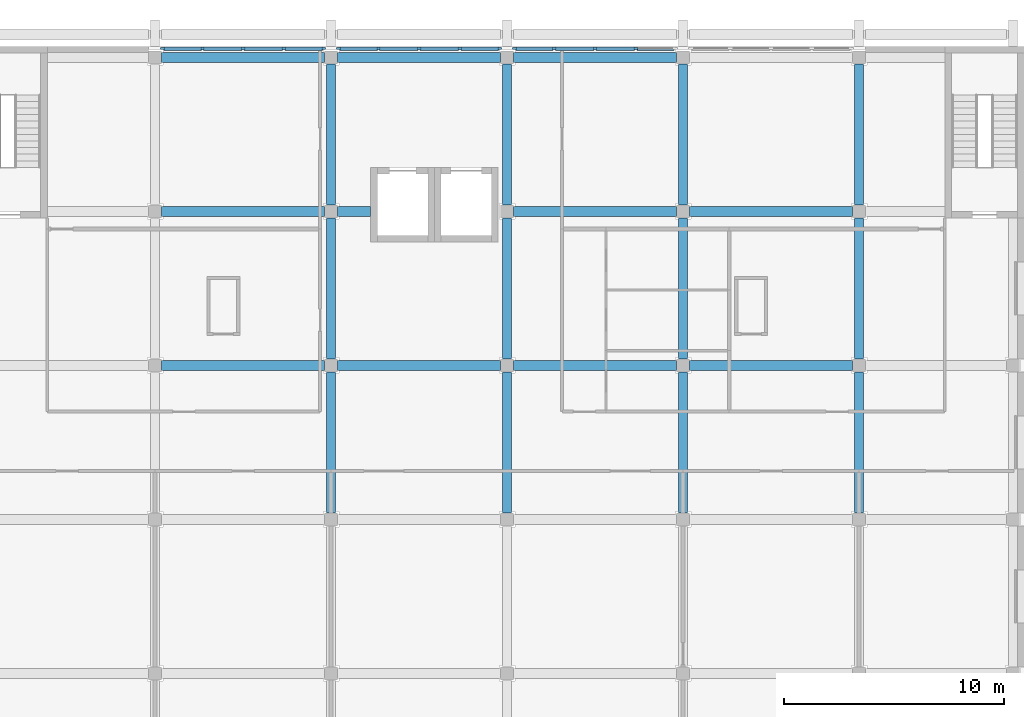
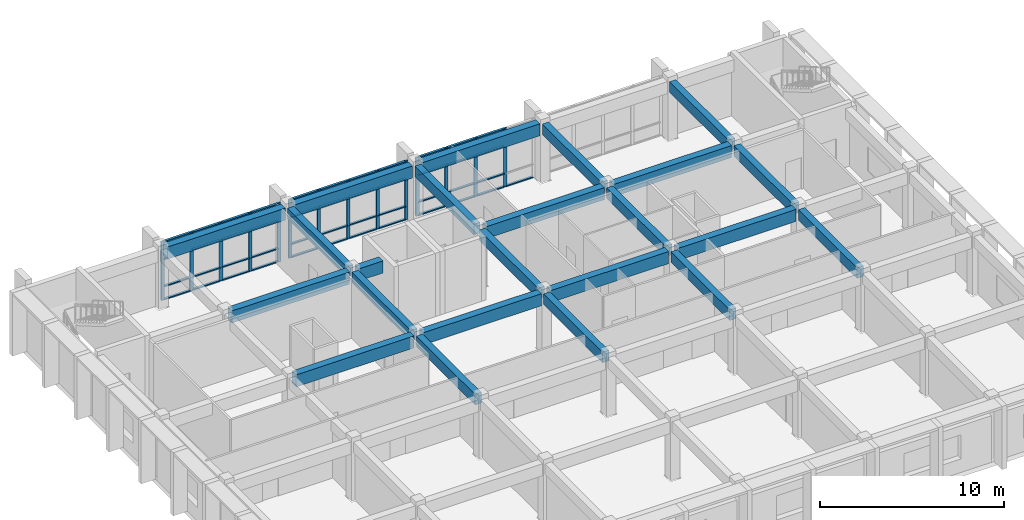
# One storey, part 20 of 43: 59 members, 23 beams, 3 elements without a shape of their own.
"""IFC4 building model written with IfcOpenShell, lengths in metres."""

from ifc_helpers import new_model, si_unit, direction, frame, origin, origin_2d, place, context, subcontext, project, spatial, rectangle, extrude, material, material_profile, profile_set, type_object, element, aggregate, save


model = new_model("IFC4")

# Units and contexts
model_context = context("Model", 3, precision=1e-05, world=origin(), true_north=direction((0.0, 1.0)))
body_context = subcontext(model_context, "Body", "Model", "MODEL_VIEW")
ifc_project = project(units=[si_unit("LENGTHUNIT", "METRE"), si_unit("AREAUNIT", "SQUARE_METRE"), si_unit("VOLUMEUNIT", "CUBIC_METRE"), si_unit("PLANEANGLEUNIT", "RADIAN"), si_unit("MASSUNIT", "GRAM", prefix="KILO")], contexts=[model_context])

# Site, building, storey
site_placement = place(None, origin())
site = spatial("IfcSite", under=ifc_project, at=site_placement, CompositionType="ELEMENT")
building_placement = place(site_placement, origin())
building = spatial("IfcBuilding", under=site, at=building_placement, Name="Elmora Arch Market Hall", CompositionType="ELEMENT")
storey_placement = place(building_placement, frame((0.0, 0.0, 10.199951171875)))
storey = spatial("IfcBuildingStorey", under=building, at=storey_placement, Name="L02", CompositionType="ELEMENT", Elevation=10.199951171875)

# Curtain wall, members
ifc_material_1 = material(Name="Aluminium", Category="aluminium")
curtain_wall_type = type_object("IfcCurtainWallType", Name="School front curtain wall", PredefinedType="NOTDEFINED", material=ifc_material_1)
curtain_wall_1_placement = place(storey_placement, origin())
curtain_wall_1 = element("IfcCurtainWall", 1, at=curtain_wall_1_placement, inside=storey, type_object=curtain_wall_type, Name="School street front L02 1", PredefinedType="NOTDEFINED")
ifc_material_2 = material(Name="Aluminium", Category="aluminium")
ifc_material_profile_1 = material_profile(ifc_material_2, rectangle(XDim=0.10009765625, YDim=0.199951171875, at=origin_2d()), Name="AL 100x200")
ifc_profile_set_1 = profile_set([ifc_material_profile_1], Name="Aluminium")
member_type_1 = type_object("IfcMemberType", Name="Mullion 100x200", PredefinedType="MULLION", material=ifc_profile_set_1)
member_1_placement = place(storey_placement, frame((94.85009765625, 165.89990234375, 0.0), z_axis=(0.0, 0.0, 1.0), x_axis=(0.0, 1.0, 0.0)))
member_1 = element("IfcMember", 2, at=member_1_placement, type_object=member_type_1, Name="CW5 mullion 1", PredefinedType="MULLION", context=body_context, shape_type="SweptSolid", body=[
    extrude(rectangle(XDim=0.10009765625, YDim=0.199951171875, at=origin_2d()), origin(), (0.0, 0.0, 1.0), 3.900146484375),
])
member_2_placement = place(storey_placement, frame((96.64990234375, 165.89990234375, 0.0), z_axis=(0.0, 0.0, 1.0), x_axis=(0.0, 1.0, 0.0)))
member_2 = element("IfcMember", 3, at=member_2_placement, type_object=member_type_1, Name="CW5 mullion 2", PredefinedType="MULLION", context=body_context, shape_type="SweptSolid", body=[
    extrude(rectangle(XDim=0.10009765625, YDim=0.199951171875, at=origin_2d()), origin(), (0.0, 0.0, 1.0), 3.900146484375),
])
member_3_placement = place(storey_placement, frame((98.5, 165.89990234375, 0.0), z_axis=(0.0, 0.0, 1.0), x_axis=(0.0, 1.0, 0.0)))
member_3 = element("IfcMember", 4, at=member_3_placement, type_object=member_type_1, Name="CW5 mullion 3", PredefinedType="MULLION", context=body_context, shape_type="SweptSolid", body=[
    extrude(rectangle(XDim=0.10009765625, YDim=0.199951171875, at=origin_2d()), origin(), (0.0, 0.0, 1.0), 3.900146484375),
])
member_4_placement = place(storey_placement, frame((100.35009765625, 165.89990234375, 0.0), z_axis=(0.0, 0.0, 1.0), x_axis=(0.0, 1.0, 0.0)))
member_4 = element("IfcMember", 5, at=member_4_placement, type_object=member_type_1, Name="CW5 mullion 4", PredefinedType="MULLION", context=body_context, shape_type="SweptSolid", body=[
    extrude(rectangle(XDim=0.10009765625, YDim=0.199951171875, at=origin_2d()), origin(), (0.0, 0.0, 1.0), 3.900146484375),
])
member_5_placement = place(storey_placement, frame((102.14990234375, 165.89990234375, 0.0), z_axis=(0.0, 0.0, 1.0), x_axis=(0.0, 1.0, 0.0)))
member_5 = element("IfcMember", 6, at=member_5_placement, type_object=member_type_1, Name="CW5 mullion 5", PredefinedType="MULLION", context=body_context, shape_type="SweptSolid", body=[
    extrude(rectangle(XDim=0.10009765625, YDim=0.199951171875, at=origin_2d()), origin(), (0.0, 0.0, 1.0), 3.900146484375),
])

curtain_wall_2_placement = place(storey_placement, origin())
curtain_wall_2 = element("IfcCurtainWall", 7, at=curtain_wall_2_placement, inside=storey, type_object=curtain_wall_type, Name="School street front L02 2", PredefinedType="NOTDEFINED")
member_6_placement = place(storey_placement, frame((102.85009765625, 165.89990234375, 0.0), z_axis=(0.0, 0.0, 1.0), x_axis=(0.0, 1.0, 0.0)))
member_6 = element("IfcMember", 8, at=member_6_placement, type_object=member_type_1, Name="CW5 mullion 1", PredefinedType="MULLION", context=body_context, shape_type="SweptSolid", body=[
    extrude(rectangle(XDim=0.10009765625, YDim=0.199951171875, at=origin_2d()), origin(), (0.0, 0.0, 1.0), 3.900146484375),
])
member_7_placement = place(storey_placement, frame((104.64990234375, 165.89990234375, 0.0), z_axis=(0.0, 0.0, 1.0), x_axis=(0.0, 1.0, 0.0)))
member_7 = element("IfcMember", 9, at=member_7_placement, type_object=member_type_1, Name="CW5 mullion 2", PredefinedType="MULLION", context=body_context, shape_type="SweptSolid", body=[
    extrude(rectangle(XDim=0.10009765625, YDim=0.199951171875, at=origin_2d()), origin(), (0.0, 0.0, 1.0), 3.900146484375),
])
member_8_placement = place(storey_placement, frame((106.5, 165.89990234375, 0.0), z_axis=(0.0, 0.0, 1.0), x_axis=(0.0, 1.0, 0.0)))
member_8 = element("IfcMember", 10, at=member_8_placement, type_object=member_type_1, Name="CW5 mullion 3", PredefinedType="MULLION", context=body_context, shape_type="SweptSolid", body=[
    extrude(rectangle(XDim=0.10009765625, YDim=0.199951171875, at=origin_2d()), origin(), (0.0, 0.0, 1.0), 3.900146484375),
])
member_9_placement = place(storey_placement, frame((108.35009765625, 165.89990234375, 0.0), z_axis=(0.0, 0.0, 1.0), x_axis=(0.0, 1.0, 0.0)))
member_9 = element("IfcMember", 11, at=member_9_placement, type_object=member_type_1, Name="CW5 mullion 4", PredefinedType="MULLION", context=body_context, shape_type="SweptSolid", body=[
    extrude(rectangle(XDim=0.10009765625, YDim=0.199951171875, at=origin_2d()), origin(), (0.0, 0.0, 1.0), 3.900146484375),
])
member_10_placement = place(storey_placement, frame((110.14990234375, 165.89990234375, 0.0), z_axis=(0.0, 0.0, 1.0), x_axis=(0.0, 1.0, 0.0)))
member_10 = element("IfcMember", 12, at=member_10_placement, type_object=member_type_1, Name="CW5 mullion 5", PredefinedType="MULLION", context=body_context, shape_type="SweptSolid", body=[
    extrude(rectangle(XDim=0.10009765625, YDim=0.199951171875, at=origin_2d()), origin(), (0.0, 0.0, 1.0), 3.900146484375),
])

curtain_wall_3_placement = place(storey_placement, origin())
curtain_wall_3 = element("IfcCurtainWall", 13, at=curtain_wall_3_placement, inside=storey, type_object=curtain_wall_type, Name="School street front L02 3", PredefinedType="NOTDEFINED")
member_11_placement = place(storey_placement, frame((110.85009765625, 165.89990234375, 0.0), z_axis=(0.0, 0.0, 1.0), x_axis=(0.0, 1.0, 0.0)))
member_11 = element("IfcMember", 14, at=member_11_placement, type_object=member_type_1, Name="CW5 mullion 1", PredefinedType="MULLION", context=body_context, shape_type="SweptSolid", body=[
    extrude(rectangle(XDim=0.10009765625, YDim=0.199951171875, at=origin_2d()), origin(), (0.0, 0.0, 1.0), 3.900146484375),
])
member_12_placement = place(storey_placement, frame((112.64990234375, 165.89990234375, 0.0), z_axis=(0.0, 0.0, 1.0), x_axis=(0.0, 1.0, 0.0)))
member_12 = element("IfcMember", 15, at=member_12_placement, type_object=member_type_1, Name="CW5 mullion 2", PredefinedType="MULLION", context=body_context, shape_type="SweptSolid", body=[
    extrude(rectangle(XDim=0.10009765625, YDim=0.199951171875, at=origin_2d()), origin(), (0.0, 0.0, 1.0), 3.900146484375),
])
member_13_placement = place(storey_placement, frame((114.5, 165.89990234375, 0.0), z_axis=(0.0, 0.0, 1.0), x_axis=(0.0, 1.0, 0.0)))
member_13 = element("IfcMember", 16, at=member_13_placement, type_object=member_type_1, Name="CW5 mullion 3", PredefinedType="MULLION", context=body_context, shape_type="SweptSolid", body=[
    extrude(rectangle(XDim=0.10009765625, YDim=0.199951171875, at=origin_2d()), origin(), (0.0, 0.0, 1.0), 3.900146484375),
])
member_14_placement = place(storey_placement, frame((116.35009765625, 165.89990234375, 0.0), z_axis=(0.0, 0.0, 1.0), x_axis=(0.0, 1.0, 0.0)))
member_14 = element("IfcMember", 17, at=member_14_placement, type_object=member_type_1, Name="CW5 mullion 4", PredefinedType="MULLION", context=body_context, shape_type="SweptSolid", body=[
    extrude(rectangle(XDim=0.10009765625, YDim=0.199951171875, at=origin_2d()), origin(), (0.0, 0.0, 1.0), 3.900146484375),
])

# Beams
ifc_material_3 = material(Name="Concrete C32/40", Category="concrete")
ifc_material_profile_2 = material_profile(ifc_material_3, rectangle(XDim=0.39990234375, YDim=0.699951171875, at=origin_2d()), Name="School beam 400x700")
ifc_profile_set_2 = profile_set([ifc_material_profile_2], Name="Concrete C32/40")
beam_type_1 = type_object("IfcBeamType", Name="School beam 400x700", PredefinedType="BEAM", material=ifc_profile_set_2)
for number, where, z_axis, x_axis, name in (
    (18, (102.5, 144.800048828125, 3.550048828125), (0.0, 1.0, 0.0), (-1.0, 0.0, 0.0), "School beam SY3 L02.3"),
    (19, (102.5, 151.800048828125, 3.550048828125), (0.0, 1.0, 0.0), (-1.0, 0.0, 0.0), "School beam SY3 L02.4"),
    (20, (102.5, 158.800048828125, 3.550048828125), (0.0, 1.0, 0.0), (-1.0, 0.0, 0.0), "School beam SY3 L02.5"),
    (21, (110.5, 144.800048828125, 3.550048828125), (0.0, 1.0, 0.0), (-1.0, 0.0, 0.0), "School beam SY4 L02.3"),
    (22, (110.5, 151.800048828125, 3.550048828125), (0.0, 1.0, 0.0), (-1.0, 0.0, 0.0), "School beam SY4 L02.4"),
    (23, (110.5, 158.800048828125, 3.550048828125), (0.0, 1.0, 0.0), (-1.0, 0.0, 0.0), "School beam SY4 L02.5"),
    (24, (118.5, 144.800048828125, 3.550048828125), (0.0, 1.0, 0.0), (-1.0, 0.0, 0.0), "School beam SY5 L02.3"),
    (25, (118.5, 151.800048828125, 3.550048828125), (0.0, 1.0, 0.0), (-1.0, 0.0, 0.0), "School beam SY5 L02.4"),
    (26, (118.5, 158.800048828125, 3.550048828125), (0.0, 1.0, 0.0), (-1.0, 0.0, 0.0), "School beam SY5 L02.5"),
    (27, (126.5, 144.800048828125, 3.550048828125), (0.0, 1.0, 0.0), (-1.0, 0.0, 0.0), "School beam SY6 L02.3"),
    (28, (126.5, 151.800048828125, 3.550048828125), (0.0, 1.0, 0.0), (-1.0, 0.0, 0.0), "School beam SY6 L02.4"),
    (29, (126.5, 158.800048828125, 3.550048828125), (0.0, 1.0, 0.0), (-1.0, 0.0, 0.0), "School beam SY6 L02.5"),
):
    element("IfcBeam", number, at=place(storey_placement, frame(where, z_axis=z_axis, x_axis=x_axis)), inside=storey, type_object=beam_type_1, Name=name, PredefinedType="BEAM", context=body_context, shape_type="SweptSolid", body=[
        extrude(rectangle(XDim=0.39990234375, YDim=0.699951171875, at=origin_2d()), origin(), (0.0, 0.0, 1.0), 6.39990234375),
    ])
ifc_material_4 = material(Name="Concrete C32/40", Category="concrete")
ifc_material_profile_3 = material_profile(ifc_material_4, rectangle(XDim=0.449951171875, YDim=0.800048828125, at=origin_2d()), Name="School girder 450x800")
ifc_profile_set_3 = profile_set([ifc_material_profile_3], Name="Concrete C32/40")
beam_type_2 = type_object("IfcBeamType", Name="School girder 450x800", PredefinedType="BEAM", material=ifc_profile_set_3)
for number, where, z_axis, x_axis, name in (
    (30, (94.800048828125, 151.5, 3.5), (1.0, 0.0, 0.0), (0.0, 1.0, 0.0), "School girder SX4 L02.2"),
    (31, (102.800048828125, 151.5, 3.5), (1.0, 0.0, 0.0), (0.0, 1.0, 0.0), "School girder SX4 L02.3"),
    (32, (110.800048828125, 151.5, 3.5), (1.0, 0.0, 0.0), (0.0, 1.0, 0.0), "School girder SX4 L02.4"),
    (33, (118.800048828125, 151.5, 3.5), (1.0, 0.0, 0.0), (0.0, 1.0, 0.0), "School girder SX4 L02.5"),
    (34, (94.800048828125, 158.5, 3.5), (1.0, 0.0, 0.0), (0.0, 1.0, 0.0), "School girder SX5 L02.2"),
):
    element("IfcBeam", number, at=place(storey_placement, frame(where, z_axis=z_axis, x_axis=x_axis)), inside=storey, type_object=beam_type_2, Name=name, PredefinedType="BEAM", context=body_context, shape_type="SweptSolid", body=[
        extrude(rectangle(XDim=0.449951171875, YDim=0.800048828125, at=origin_2d()), origin(), (0.0, 0.0, 1.0), 7.39990234375),
    ])
beam_placement = place(storey_placement, frame((102.800048828125, 158.5, 3.5), z_axis=(1.0, 0.0, 0.0), x_axis=(0.0, 1.0, 0.0)))
element("IfcBeam", 35, at=beam_placement, inside=storey, type_object=beam_type_2, Name="School girder SX5 L02.3", PredefinedType="BEAM", context=body_context, shape_type="SweptSolid", body=[
    extrude(rectangle(XDim=0.449951171875, YDim=0.800048828125, at=origin_2d()), origin(), (0.0, 0.0, 1.0), 1.5),
])
for number, where, z_axis, x_axis, name in (
    (36, (110.800048828125, 158.5, 3.5), (1.0, 0.0, 0.0), (0.0, 1.0, 0.0), "School girder SX5 L02.4"),
    (37, (118.800048828125, 158.5, 3.5), (1.0, 0.0, 0.0), (0.0, 1.0, 0.0), "School girder SX5 L02.5"),
    (38, (94.800048828125, 165.5, 3.5), (1.0, 0.0, 0.0), (0.0, 1.0, 0.0), "School girder SX6 L02.2"),
    (39, (102.800048828125, 165.5, 3.5), (1.0, 0.0, 0.0), (0.0, 1.0, 0.0), "School girder SX6 L02.3"),
    (40, (110.800048828125, 165.5, 3.5), (1.0, 0.0, 0.0), (0.0, 1.0, 0.0), "School girder SX6 L02.4"),
):
    element("IfcBeam", number, at=place(storey_placement, frame(where, z_axis=z_axis, x_axis=x_axis)), inside=storey, type_object=beam_type_2, Name=name, PredefinedType="BEAM", context=body_context, shape_type="SweptSolid", body=[
        extrude(rectangle(XDim=0.449951171875, YDim=0.800048828125, at=origin_2d()), origin(), (0.0, 0.0, 1.0), 7.39990234375),
    ])

# Member
ifc_material_5 = material(Name="Aluminium", Category="aluminium")
ifc_material_profile_4 = material_profile(ifc_material_5, rectangle(XDim=0.14990234375, YDim=0.074951171875, at=origin_2d()), Name="AL 150x75")
ifc_profile_set_4 = profile_set([ifc_material_profile_4], Name="Aluminium")
member_type_2 = type_object("IfcMemberType", Name="Transom 150x75", PredefinedType="USERDEFINED", material=ifc_profile_set_4)
member_15_placement = place(storey_placement, frame((94.89990234375, 165.89990234375, 0.03759765625), z_axis=(1.0, 0.0, 0.0), x_axis=(0.0, 1.0, 0.0)))
member_15 = element("IfcMember", 41, at=member_15_placement, type_object=member_type_2, Name="CW5 transom 1.1", ObjectType="TRANSOM", PredefinedType="USERDEFINED", context=body_context, shape_type="SweptSolid", body=[
    extrude(rectangle(XDim=0.14990234375, YDim=0.074951171875, at=origin_2d()), origin(), (0.0, 0.0, 1.0), 1.7001953125),
])

member_16_placement = place(storey_placement, frame((94.89990234375, 165.89990234375, 0.900146484375), z_axis=(1.0, 0.0, 0.0), x_axis=(0.0, 1.0, 0.0)))
member_16 = element("IfcMember", 42, at=member_16_placement, type_object=member_type_2, Name="CW5 transom 1.2", ObjectType="TRANSOM", PredefinedType="USERDEFINED", context=body_context, shape_type="SweptSolid", body=[
    extrude(rectangle(XDim=0.14990234375, YDim=0.074951171875, at=origin_2d()), origin(), (0.0, 0.0, 1.0), 1.7001953125),
])

member_17_placement = place(storey_placement, frame((94.89990234375, 165.89990234375, 2.699951171875), z_axis=(1.0, 0.0, 0.0), x_axis=(0.0, 1.0, 0.0)))
member_17 = element("IfcMember", 43, at=member_17_placement, type_object=member_type_2, Name="CW5 transom 1.3", ObjectType="TRANSOM", PredefinedType="USERDEFINED", context=body_context, shape_type="SweptSolid", body=[
    extrude(rectangle(XDim=0.14990234375, YDim=0.074951171875, at=origin_2d()), origin(), (0.0, 0.0, 1.0), 1.7001953125),
])

member_18_placement = place(storey_placement, frame((94.89990234375, 165.89990234375, 3.862548828125), z_axis=(1.0, 0.0, 0.0), x_axis=(0.0, 1.0, 0.0)))
member_18 = element("IfcMember", 44, at=member_18_placement, type_object=member_type_2, Name="CW5 transom 1.4", ObjectType="TRANSOM", PredefinedType="USERDEFINED", context=body_context, shape_type="SweptSolid", body=[
    extrude(rectangle(XDim=0.14990234375, YDim=0.074951171875, at=origin_2d()), origin(), (0.0, 0.0, 1.0), 1.7001953125),
])

member_19_placement = place(storey_placement, frame((96.699951171875, 165.89990234375, 0.03759765625), z_axis=(1.0, 0.0, 0.0), x_axis=(0.0, 1.0, 0.0)))
member_19 = element("IfcMember", 45, at=member_19_placement, type_object=member_type_2, Name="CW5 transom 2.1", ObjectType="TRANSOM", PredefinedType="USERDEFINED", context=body_context, shape_type="SweptSolid", body=[
    extrude(rectangle(XDim=0.14990234375, YDim=0.074951171875, at=origin_2d()), origin(), (0.0, 0.0, 1.0), 1.75),
])

member_20_placement = place(storey_placement, frame((96.699951171875, 165.89990234375, 0.900146484375), z_axis=(1.0, 0.0, 0.0), x_axis=(0.0, 1.0, 0.0)))
member_20 = element("IfcMember", 46, at=member_20_placement, type_object=member_type_2, Name="CW5 transom 2.2", ObjectType="TRANSOM", PredefinedType="USERDEFINED", context=body_context, shape_type="SweptSolid", body=[
    extrude(rectangle(XDim=0.14990234375, YDim=0.074951171875, at=origin_2d()), origin(), (0.0, 0.0, 1.0), 1.75),
])

member_21_placement = place(storey_placement, frame((96.699951171875, 165.89990234375, 2.699951171875), z_axis=(1.0, 0.0, 0.0), x_axis=(0.0, 1.0, 0.0)))
member_21 = element("IfcMember", 47, at=member_21_placement, type_object=member_type_2, Name="CW5 transom 2.3", ObjectType="TRANSOM", PredefinedType="USERDEFINED", context=body_context, shape_type="SweptSolid", body=[
    extrude(rectangle(XDim=0.14990234375, YDim=0.074951171875, at=origin_2d()), origin(), (0.0, 0.0, 1.0), 1.75),
])

member_22_placement = place(storey_placement, frame((96.699951171875, 165.89990234375, 3.862548828125), z_axis=(1.0, 0.0, 0.0), x_axis=(0.0, 1.0, 0.0)))
member_22 = element("IfcMember", 48, at=member_22_placement, type_object=member_type_2, Name="CW5 transom 2.4", ObjectType="TRANSOM", PredefinedType="USERDEFINED", context=body_context, shape_type="SweptSolid", body=[
    extrude(rectangle(XDim=0.14990234375, YDim=0.074951171875, at=origin_2d()), origin(), (0.0, 0.0, 1.0), 1.75),
])

member_23_placement = place(storey_placement, frame((98.550048828125, 165.89990234375, 0.03759765625), z_axis=(1.0, 0.0, 0.0), x_axis=(0.0, 1.0, 0.0)))
member_23 = element("IfcMember", 49, at=member_23_placement, type_object=member_type_2, Name="CW5 transom 3.1", ObjectType="TRANSOM", PredefinedType="USERDEFINED", context=body_context, shape_type="SweptSolid", body=[
    extrude(rectangle(XDim=0.14990234375, YDim=0.074951171875, at=origin_2d()), origin(), (0.0, 0.0, 1.0), 1.75),
])

member_24_placement = place(storey_placement, frame((98.550048828125, 165.89990234375, 0.900146484375), z_axis=(1.0, 0.0, 0.0), x_axis=(0.0, 1.0, 0.0)))
member_24 = element("IfcMember", 50, at=member_24_placement, type_object=member_type_2, Name="CW5 transom 3.2", ObjectType="TRANSOM", PredefinedType="USERDEFINED", context=body_context, shape_type="SweptSolid", body=[
    extrude(rectangle(XDim=0.14990234375, YDim=0.074951171875, at=origin_2d()), origin(), (0.0, 0.0, 1.0), 1.75),
])

member_25_placement = place(storey_placement, frame((98.550048828125, 165.89990234375, 2.699951171875), z_axis=(1.0, 0.0, 0.0), x_axis=(0.0, 1.0, 0.0)))
member_25 = element("IfcMember", 51, at=member_25_placement, type_object=member_type_2, Name="CW5 transom 3.3", ObjectType="TRANSOM", PredefinedType="USERDEFINED", context=body_context, shape_type="SweptSolid", body=[
    extrude(rectangle(XDim=0.14990234375, YDim=0.074951171875, at=origin_2d()), origin(), (0.0, 0.0, 1.0), 1.75),
])

member_26_placement = place(storey_placement, frame((98.550048828125, 165.89990234375, 3.862548828125), z_axis=(1.0, 0.0, 0.0), x_axis=(0.0, 1.0, 0.0)))
member_26 = element("IfcMember", 52, at=member_26_placement, type_object=member_type_2, Name="CW5 transom 3.4", ObjectType="TRANSOM", PredefinedType="USERDEFINED", context=body_context, shape_type="SweptSolid", body=[
    extrude(rectangle(XDim=0.14990234375, YDim=0.074951171875, at=origin_2d()), origin(), (0.0, 0.0, 1.0), 1.75),
])

member_27_placement = place(storey_placement, frame((100.39990234375, 165.89990234375, 0.03759765625), z_axis=(1.0, 0.0, 0.0), x_axis=(0.0, 1.0, 0.0)))
member_27 = element("IfcMember", 53, at=member_27_placement, type_object=member_type_2, Name="CW5 transom 4.1", ObjectType="TRANSOM", PredefinedType="USERDEFINED", context=body_context, shape_type="SweptSolid", body=[
    extrude(rectangle(XDim=0.14990234375, YDim=0.074951171875, at=origin_2d()), origin(), (0.0, 0.0, 1.0), 1.7001953125),
])

member_28_placement = place(storey_placement, frame((100.39990234375, 165.89990234375, 0.900146484375), z_axis=(1.0, 0.0, 0.0), x_axis=(0.0, 1.0, 0.0)))
member_28 = element("IfcMember", 54, at=member_28_placement, type_object=member_type_2, Name="CW5 transom 4.2", ObjectType="TRANSOM", PredefinedType="USERDEFINED", context=body_context, shape_type="SweptSolid", body=[
    extrude(rectangle(XDim=0.14990234375, YDim=0.074951171875, at=origin_2d()), origin(), (0.0, 0.0, 1.0), 1.7001953125),
])

member_29_placement = place(storey_placement, frame((100.39990234375, 165.89990234375, 2.699951171875), z_axis=(1.0, 0.0, 0.0), x_axis=(0.0, 1.0, 0.0)))
member_29 = element("IfcMember", 55, at=member_29_placement, type_object=member_type_2, Name="CW5 transom 4.3", ObjectType="TRANSOM", PredefinedType="USERDEFINED", context=body_context, shape_type="SweptSolid", body=[
    extrude(rectangle(XDim=0.14990234375, YDim=0.074951171875, at=origin_2d()), origin(), (0.0, 0.0, 1.0), 1.7001953125),
])

member_30_placement = place(storey_placement, frame((100.39990234375, 165.89990234375, 3.862548828125), z_axis=(1.0, 0.0, 0.0), x_axis=(0.0, 1.0, 0.0)))
member_30 = element("IfcMember", 56, at=member_30_placement, type_object=member_type_2, Name="CW5 transom 4.4", ObjectType="TRANSOM", PredefinedType="USERDEFINED", context=body_context, shape_type="SweptSolid", body=[
    extrude(rectangle(XDim=0.14990234375, YDim=0.074951171875, at=origin_2d()), origin(), (0.0, 0.0, 1.0), 1.7001953125),
])

aggregate(curtain_wall_1, [member_1, member_2, member_3, member_4, member_5, member_15, member_16, member_17, member_18, member_19, member_20, member_21, member_22, member_23, member_24, member_25, member_26, member_27, member_28, member_29, member_30])

member_31_placement = place(storey_placement, frame((102.89990234375, 165.89990234375, 0.03759765625), z_axis=(1.0, 0.0, 0.0), x_axis=(0.0, 1.0, 0.0)))
member_31 = element("IfcMember", 57, at=member_31_placement, type_object=member_type_2, Name="CW5 transom 1.1", ObjectType="TRANSOM", PredefinedType="USERDEFINED", context=body_context, shape_type="SweptSolid", body=[
    extrude(rectangle(XDim=0.14990234375, YDim=0.074951171875, at=origin_2d()), origin(), (0.0, 0.0, 1.0), 1.7001953125),
])

member_32_placement = place(storey_placement, frame((102.89990234375, 165.89990234375, 0.900146484375), z_axis=(1.0, 0.0, 0.0), x_axis=(0.0, 1.0, 0.0)))
member_32 = element("IfcMember", 58, at=member_32_placement, type_object=member_type_2, Name="CW5 transom 1.2", ObjectType="TRANSOM", PredefinedType="USERDEFINED", context=body_context, shape_type="SweptSolid", body=[
    extrude(rectangle(XDim=0.14990234375, YDim=0.074951171875, at=origin_2d()), origin(), (0.0, 0.0, 1.0), 1.7001953125),
])

member_33_placement = place(storey_placement, frame((102.89990234375, 165.89990234375, 2.699951171875), z_axis=(1.0, 0.0, 0.0), x_axis=(0.0, 1.0, 0.0)))
member_33 = element("IfcMember", 59, at=member_33_placement, type_object=member_type_2, Name="CW5 transom 1.3", ObjectType="TRANSOM", PredefinedType="USERDEFINED", context=body_context, shape_type="SweptSolid", body=[
    extrude(rectangle(XDim=0.14990234375, YDim=0.074951171875, at=origin_2d()), origin(), (0.0, 0.0, 1.0), 1.7001953125),
])

member_34_placement = place(storey_placement, frame((102.89990234375, 165.89990234375, 3.862548828125), z_axis=(1.0, 0.0, 0.0), x_axis=(0.0, 1.0, 0.0)))
member_34 = element("IfcMember", 60, at=member_34_placement, type_object=member_type_2, Name="CW5 transom 1.4", ObjectType="TRANSOM", PredefinedType="USERDEFINED", context=body_context, shape_type="SweptSolid", body=[
    extrude(rectangle(XDim=0.14990234375, YDim=0.074951171875, at=origin_2d()), origin(), (0.0, 0.0, 1.0), 1.7001953125),
])

member_35_placement = place(storey_placement, frame((104.699951171875, 165.89990234375, 0.03759765625), z_axis=(1.0, 0.0, 0.0), x_axis=(0.0, 1.0, 0.0)))
member_35 = element("IfcMember", 61, at=member_35_placement, type_object=member_type_2, Name="CW5 transom 2.1", ObjectType="TRANSOM", PredefinedType="USERDEFINED", context=body_context, shape_type="SweptSolid", body=[
    extrude(rectangle(XDim=0.14990234375, YDim=0.074951171875, at=origin_2d()), origin(), (0.0, 0.0, 1.0), 1.75),
])

member_36_placement = place(storey_placement, frame((104.699951171875, 165.89990234375, 0.900146484375), z_axis=(1.0, 0.0, 0.0), x_axis=(0.0, 1.0, 0.0)))
member_36 = element("IfcMember", 62, at=member_36_placement, type_object=member_type_2, Name="CW5 transom 2.2", ObjectType="TRANSOM", PredefinedType="USERDEFINED", context=body_context, shape_type="SweptSolid", body=[
    extrude(rectangle(XDim=0.14990234375, YDim=0.074951171875, at=origin_2d()), origin(), (0.0, 0.0, 1.0), 1.75),
])

member_37_placement = place(storey_placement, frame((104.699951171875, 165.89990234375, 2.699951171875), z_axis=(1.0, 0.0, 0.0), x_axis=(0.0, 1.0, 0.0)))
member_37 = element("IfcMember", 63, at=member_37_placement, type_object=member_type_2, Name="CW5 transom 2.3", ObjectType="TRANSOM", PredefinedType="USERDEFINED", context=body_context, shape_type="SweptSolid", body=[
    extrude(rectangle(XDim=0.14990234375, YDim=0.074951171875, at=origin_2d()), origin(), (0.0, 0.0, 1.0), 1.75),
])

member_38_placement = place(storey_placement, frame((104.699951171875, 165.89990234375, 3.862548828125), z_axis=(1.0, 0.0, 0.0), x_axis=(0.0, 1.0, 0.0)))
member_38 = element("IfcMember", 64, at=member_38_placement, type_object=member_type_2, Name="CW5 transom 2.4", ObjectType="TRANSOM", PredefinedType="USERDEFINED", context=body_context, shape_type="SweptSolid", body=[
    extrude(rectangle(XDim=0.14990234375, YDim=0.074951171875, at=origin_2d()), origin(), (0.0, 0.0, 1.0), 1.75),
])

member_39_placement = place(storey_placement, frame((106.550048828125, 165.89990234375, 0.03759765625), z_axis=(1.0, 0.0, 0.0), x_axis=(0.0, 1.0, 0.0)))
member_39 = element("IfcMember", 65, at=member_39_placement, type_object=member_type_2, Name="CW5 transom 3.1", ObjectType="TRANSOM", PredefinedType="USERDEFINED", context=body_context, shape_type="SweptSolid", body=[
    extrude(rectangle(XDim=0.14990234375, YDim=0.074951171875, at=origin_2d()), origin(), (0.0, 0.0, 1.0), 1.75),
])

member_40_placement = place(storey_placement, frame((106.550048828125, 165.89990234375, 0.900146484375), z_axis=(1.0, 0.0, 0.0), x_axis=(0.0, 1.0, 0.0)))
member_40 = element("IfcMember", 66, at=member_40_placement, type_object=member_type_2, Name="CW5 transom 3.2", ObjectType="TRANSOM", PredefinedType="USERDEFINED", context=body_context, shape_type="SweptSolid", body=[
    extrude(rectangle(XDim=0.14990234375, YDim=0.074951171875, at=origin_2d()), origin(), (0.0, 0.0, 1.0), 1.75),
])

member_41_placement = place(storey_placement, frame((106.550048828125, 165.89990234375, 2.699951171875), z_axis=(1.0, 0.0, 0.0), x_axis=(0.0, 1.0, 0.0)))
member_41 = element("IfcMember", 67, at=member_41_placement, type_object=member_type_2, Name="CW5 transom 3.3", ObjectType="TRANSOM", PredefinedType="USERDEFINED", context=body_context, shape_type="SweptSolid", body=[
    extrude(rectangle(XDim=0.14990234375, YDim=0.074951171875, at=origin_2d()), origin(), (0.0, 0.0, 1.0), 1.75),
])

member_42_placement = place(storey_placement, frame((106.550048828125, 165.89990234375, 3.862548828125), z_axis=(1.0, 0.0, 0.0), x_axis=(0.0, 1.0, 0.0)))
member_42 = element("IfcMember", 68, at=member_42_placement, type_object=member_type_2, Name="CW5 transom 3.4", ObjectType="TRANSOM", PredefinedType="USERDEFINED", context=body_context, shape_type="SweptSolid", body=[
    extrude(rectangle(XDim=0.14990234375, YDim=0.074951171875, at=origin_2d()), origin(), (0.0, 0.0, 1.0), 1.75),
])

member_43_placement = place(storey_placement, frame((108.39990234375, 165.89990234375, 0.03759765625), z_axis=(1.0, 0.0, 0.0), x_axis=(0.0, 1.0, 0.0)))
member_43 = element("IfcMember", 69, at=member_43_placement, type_object=member_type_2, Name="CW5 transom 4.1", ObjectType="TRANSOM", PredefinedType="USERDEFINED", context=body_context, shape_type="SweptSolid", body=[
    extrude(rectangle(XDim=0.14990234375, YDim=0.074951171875, at=origin_2d()), origin(), (0.0, 0.0, 1.0), 1.7001953125),
])

member_44_placement = place(storey_placement, frame((108.39990234375, 165.89990234375, 0.900146484375), z_axis=(1.0, 0.0, 0.0), x_axis=(0.0, 1.0, 0.0)))
member_44 = element("IfcMember", 70, at=member_44_placement, type_object=member_type_2, Name="CW5 transom 4.2", ObjectType="TRANSOM", PredefinedType="USERDEFINED", context=body_context, shape_type="SweptSolid", body=[
    extrude(rectangle(XDim=0.14990234375, YDim=0.074951171875, at=origin_2d()), origin(), (0.0, 0.0, 1.0), 1.7001953125),
])

member_45_placement = place(storey_placement, frame((108.39990234375, 165.89990234375, 2.699951171875), z_axis=(1.0, 0.0, 0.0), x_axis=(0.0, 1.0, 0.0)))
member_45 = element("IfcMember", 71, at=member_45_placement, type_object=member_type_2, Name="CW5 transom 4.3", ObjectType="TRANSOM", PredefinedType="USERDEFINED", context=body_context, shape_type="SweptSolid", body=[
    extrude(rectangle(XDim=0.14990234375, YDim=0.074951171875, at=origin_2d()), origin(), (0.0, 0.0, 1.0), 1.7001953125),
])

member_46_placement = place(storey_placement, frame((108.39990234375, 165.89990234375, 3.862548828125), z_axis=(1.0, 0.0, 0.0), x_axis=(0.0, 1.0, 0.0)))
member_46 = element("IfcMember", 72, at=member_46_placement, type_object=member_type_2, Name="CW5 transom 4.4", ObjectType="TRANSOM", PredefinedType="USERDEFINED", context=body_context, shape_type="SweptSolid", body=[
    extrude(rectangle(XDim=0.14990234375, YDim=0.074951171875, at=origin_2d()), origin(), (0.0, 0.0, 1.0), 1.7001953125),
])

aggregate(curtain_wall_2, [member_6, member_7, member_8, member_9, member_10, member_31, member_32, member_33, member_34, member_35, member_36, member_37, member_38, member_39, member_40, member_41, member_42, member_43, member_44, member_45, member_46])

member_47_placement = place(storey_placement, frame((110.89990234375, 165.89990234375, 0.03759765625), z_axis=(1.0, 0.0, 0.0), x_axis=(0.0, 1.0, 0.0)))
member_47 = element("IfcMember", 73, at=member_47_placement, type_object=member_type_2, Name="CW5 transom 1.1", ObjectType="TRANSOM", PredefinedType="USERDEFINED", context=body_context, shape_type="SweptSolid", body=[
    extrude(rectangle(XDim=0.14990234375, YDim=0.074951171875, at=origin_2d()), origin(), (0.0, 0.0, 1.0), 1.7001953125),
])

member_48_placement = place(storey_placement, frame((110.89990234375, 165.89990234375, 0.900146484375), z_axis=(1.0, 0.0, 0.0), x_axis=(0.0, 1.0, 0.0)))
member_48 = element("IfcMember", 74, at=member_48_placement, type_object=member_type_2, Name="CW5 transom 1.2", ObjectType="TRANSOM", PredefinedType="USERDEFINED", context=body_context, shape_type="SweptSolid", body=[
    extrude(rectangle(XDim=0.14990234375, YDim=0.074951171875, at=origin_2d()), origin(), (0.0, 0.0, 1.0), 1.7001953125),
])

member_49_placement = place(storey_placement, frame((110.89990234375, 165.89990234375, 2.699951171875), z_axis=(1.0, 0.0, 0.0), x_axis=(0.0, 1.0, 0.0)))
member_49 = element("IfcMember", 75, at=member_49_placement, type_object=member_type_2, Name="CW5 transom 1.3", ObjectType="TRANSOM", PredefinedType="USERDEFINED", context=body_context, shape_type="SweptSolid", body=[
    extrude(rectangle(XDim=0.14990234375, YDim=0.074951171875, at=origin_2d()), origin(), (0.0, 0.0, 1.0), 1.7001953125),
])

member_50_placement = place(storey_placement, frame((110.89990234375, 165.89990234375, 3.862548828125), z_axis=(1.0, 0.0, 0.0), x_axis=(0.0, 1.0, 0.0)))
member_50 = element("IfcMember", 76, at=member_50_placement, type_object=member_type_2, Name="CW5 transom 1.4", ObjectType="TRANSOM", PredefinedType="USERDEFINED", context=body_context, shape_type="SweptSolid", body=[
    extrude(rectangle(XDim=0.14990234375, YDim=0.074951171875, at=origin_2d()), origin(), (0.0, 0.0, 1.0), 1.7001953125),
])

member_51_placement = place(storey_placement, frame((112.699951171875, 165.89990234375, 0.03759765625), z_axis=(1.0, 0.0, 0.0), x_axis=(0.0, 1.0, 0.0)))
member_51 = element("IfcMember", 77, at=member_51_placement, type_object=member_type_2, Name="CW5 transom 2.1", ObjectType="TRANSOM", PredefinedType="USERDEFINED", context=body_context, shape_type="SweptSolid", body=[
    extrude(rectangle(XDim=0.14990234375, YDim=0.074951171875, at=origin_2d()), origin(), (0.0, 0.0, 1.0), 1.75),
])

member_52_placement = place(storey_placement, frame((112.699951171875, 165.89990234375, 0.900146484375), z_axis=(1.0, 0.0, 0.0), x_axis=(0.0, 1.0, 0.0)))
member_52 = element("IfcMember", 78, at=member_52_placement, type_object=member_type_2, Name="CW5 transom 2.2", ObjectType="TRANSOM", PredefinedType="USERDEFINED", context=body_context, shape_type="SweptSolid", body=[
    extrude(rectangle(XDim=0.14990234375, YDim=0.074951171875, at=origin_2d()), origin(), (0.0, 0.0, 1.0), 1.75),
])

member_53_placement = place(storey_placement, frame((112.699951171875, 165.89990234375, 2.699951171875), z_axis=(1.0, 0.0, 0.0), x_axis=(0.0, 1.0, 0.0)))
member_53 = element("IfcMember", 79, at=member_53_placement, type_object=member_type_2, Name="CW5 transom 2.3", ObjectType="TRANSOM", PredefinedType="USERDEFINED", context=body_context, shape_type="SweptSolid", body=[
    extrude(rectangle(XDim=0.14990234375, YDim=0.074951171875, at=origin_2d()), origin(), (0.0, 0.0, 1.0), 1.75),
])

member_54_placement = place(storey_placement, frame((112.699951171875, 165.89990234375, 3.862548828125), z_axis=(1.0, 0.0, 0.0), x_axis=(0.0, 1.0, 0.0)))
member_54 = element("IfcMember", 80, at=member_54_placement, type_object=member_type_2, Name="CW5 transom 2.4", ObjectType="TRANSOM", PredefinedType="USERDEFINED", context=body_context, shape_type="SweptSolid", body=[
    extrude(rectangle(XDim=0.14990234375, YDim=0.074951171875, at=origin_2d()), origin(), (0.0, 0.0, 1.0), 1.75),
])

member_55_placement = place(storey_placement, frame((114.550048828125, 165.89990234375, 0.03759765625), z_axis=(1.0, 0.0, 0.0), x_axis=(0.0, 1.0, 0.0)))
member_55 = element("IfcMember", 81, at=member_55_placement, type_object=member_type_2, Name="CW5 transom 3.1", ObjectType="TRANSOM", PredefinedType="USERDEFINED", context=body_context, shape_type="SweptSolid", body=[
    extrude(rectangle(XDim=0.14990234375, YDim=0.074951171875, at=origin_2d()), origin(), (0.0, 0.0, 1.0), 1.75),
])

member_56_placement = place(storey_placement, frame((114.550048828125, 165.89990234375, 0.900146484375), z_axis=(1.0, 0.0, 0.0), x_axis=(0.0, 1.0, 0.0)))
member_56 = element("IfcMember", 82, at=member_56_placement, type_object=member_type_2, Name="CW5 transom 3.2", ObjectType="TRANSOM", PredefinedType="USERDEFINED", context=body_context, shape_type="SweptSolid", body=[
    extrude(rectangle(XDim=0.14990234375, YDim=0.074951171875, at=origin_2d()), origin(), (0.0, 0.0, 1.0), 1.75),
])

member_57_placement = place(storey_placement, frame((114.550048828125, 165.89990234375, 2.699951171875), z_axis=(1.0, 0.0, 0.0), x_axis=(0.0, 1.0, 0.0)))
member_57 = element("IfcMember", 83, at=member_57_placement, type_object=member_type_2, Name="CW5 transom 3.3", ObjectType="TRANSOM", PredefinedType="USERDEFINED", context=body_context, shape_type="SweptSolid", body=[
    extrude(rectangle(XDim=0.14990234375, YDim=0.074951171875, at=origin_2d()), origin(), (0.0, 0.0, 1.0), 1.75),
])

member_58_placement = place(storey_placement, frame((114.550048828125, 165.89990234375, 3.862548828125), z_axis=(1.0, 0.0, 0.0), x_axis=(0.0, 1.0, 0.0)))
member_58 = element("IfcMember", 84, at=member_58_placement, type_object=member_type_2, Name="CW5 transom 3.4", ObjectType="TRANSOM", PredefinedType="USERDEFINED", context=body_context, shape_type="SweptSolid", body=[
    extrude(rectangle(XDim=0.14990234375, YDim=0.074951171875, at=origin_2d()), origin(), (0.0, 0.0, 1.0), 1.75),
])

member_59_placement = place(storey_placement, frame((116.39990234375, 165.89990234375, 0.03759765625), z_axis=(1.0, 0.0, 0.0), x_axis=(0.0, 1.0, 0.0)))
member_59 = element("IfcMember", 85, at=member_59_placement, type_object=member_type_2, Name="CW5 transom 4.1", ObjectType="TRANSOM", PredefinedType="USERDEFINED", context=body_context, shape_type="SweptSolid", body=[
    extrude(rectangle(XDim=0.14990234375, YDim=0.074951171875, at=origin_2d()), origin(), (0.0, 0.0, 1.0), 1.7001953125),
])

aggregate(curtain_wall_3, [member_11, member_12, member_13, member_14, member_47, member_48, member_49, member_50, member_51, member_52, member_53, member_54, member_55, member_56, member_57, member_58, member_59])

save(model, "model.ifc")
